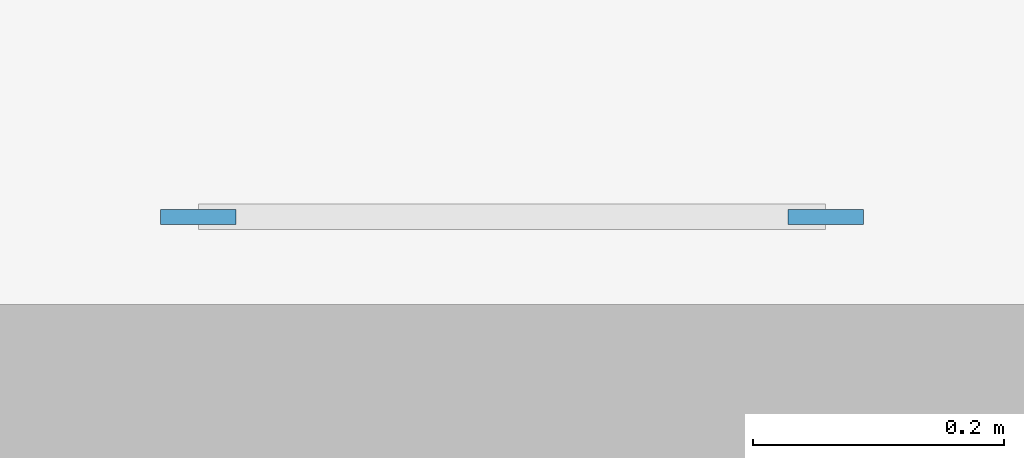
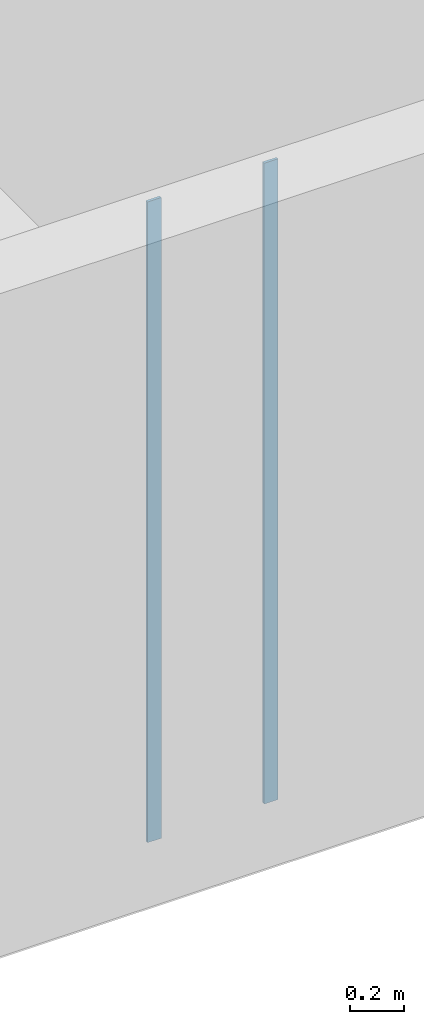
# One storey, part 24 of 122: 2 members.
"""IFC4 building model written with IfcOpenShell, lengths in metres."""

import ifcopenshell
import ifcopenshell.guid

model = None  # the IFC model being written
_history = None  # IfcOwnerHistory: only IFC2X3 demands one
_inside = {}  # id of a spatial element -> (the spatial element, [elements in it])
_under = {}  # id of a project, library or spatial element -> (it, [spatial elements below it])
_declared = {}  # id of a project -> (the project, [libraries it declares])
_typed = {}  # id of a type object -> (the type object, [elements of that type])
_made_of = {}  # id of a material, layer set ... -> (it, [elements and type objects made of it])


def new_model(schema):
    """Start an empty IFC model of exactly this schema.

    Asked for "IFC4X3", IfcOpenShell would pick the latest addendum, in which some entities
    have other attributes; the version numbers below select the first issue.
    IFC2X3 requires an IfcOwnerHistory on every rooted entity: one is made here for all.
    """
    global model, _history
    if schema == "IFC4X3":
        model = ifcopenshell.file(schema_version=(4, 3, 0, 0))
    else:
        model = ifcopenshell.file(schema=schema)
    _inside.clear()
    _under.clear()
    _declared.clear()
    _typed.clear()
    _made_of.clear()
    _history = None
    if model.schema == "IFC2X3":
        org = make("IfcOrganization", Name="unknown")
        user = make(
            "IfcPersonAndOrganization",
            ThePerson=make("IfcPerson", FamilyName="unknown"),
            TheOrganization=org,
        )
        app = make(
            "IfcApplication",
            ApplicationDeveloper=org,
            Version="unknown",
            ApplicationFullName="unknown",
            ApplicationIdentifier="unknown",
        )
        _history = make(
            "IfcOwnerHistory",
            OwningUser=user,
            OwningApplication=app,
            ChangeAction="ADDED",
            CreationDate=0,
        )
    return model


def make(cls, **values):
    """One entity of the class cls with the attributes given. An attribute that is None is left unset."""
    return model.create_entity(
        cls, **{name: value for name, value in values.items() if value is not None}
    )


def rooted(cls, **values):
    """An entity with a GlobalId (a new one), such as an element, a storey or a relation."""
    return make(cls, GlobalId=ifcopenshell.guid.new(), OwnerHistory=_history, **values)


def si_unit(unit_type, name, prefix=None):
    """IfcSIUnit, for example si_unit("LENGTHUNIT", "METRE", prefix="MILLI")."""
    return make("IfcSIUnit", UnitType=unit_type, Prefix=prefix, Name=name)


def assignment(units):
    """IfcUnitAssignment: the units of a project."""
    return None if units is None else make("IfcUnitAssignment", Units=units)


def point(xyz):
    """IfcCartesianPoint."""
    return None if xyz is None else make("IfcCartesianPoint", Coordinates=xyz)


def direction(xyz):
    """IfcDirection."""
    return None if xyz is None else make("IfcDirection", DirectionRatios=xyz)


def frame(location, z_axis=None, x_axis=None):
    """IfcAxis2Placement3D, a coordinate frame: its origin and axes. An axis left out is left unset."""
    return make(
        "IfcAxis2Placement3D",
        Location=point(location),
        Axis=direction(z_axis),
        RefDirection=direction(x_axis),
    )


def frame_2d(location, x_axis=None):
    """IfcAxis2Placement2D, a coordinate frame in the plane: its origin and x axis."""
    return make(
        "IfcAxis2Placement2D", Location=point(location), RefDirection=direction(x_axis)
    )


def origin():
    """The frame at (0, 0, 0) with its axes left unset."""
    return frame((0.0, 0.0, 0.0))


def origin_2d():
    """The frame at (0, 0) in the plane with its x axis left unset."""
    return frame_2d((0.0, 0.0))


def place(relative_to, where):
    """IfcLocalPlacement: puts the frame where relative to a parent placement (None: the world)."""
    return make(
        "IfcLocalPlacement", PlacementRelTo=relative_to, RelativePlacement=where
    )


def context(
    kind, dimensions, precision=None, world=None, true_north=None, identifier=None
):
    """IfcGeometricRepresentationContext, for example the 3D "Model" context."""
    return make(
        "IfcGeometricRepresentationContext",
        ContextIdentifier=identifier,
        ContextType=kind,
        CoordinateSpaceDimension=dimensions,
        Precision=precision,
        WorldCoordinateSystem=world,
        TrueNorth=true_north,
    )


def subcontext(parent, identifier, kind, view, scale=None):
    """IfcGeometricRepresentationSubContext, for example "Body" below "Model"."""
    return make(
        "IfcGeometricRepresentationSubContext",
        ContextIdentifier=identifier,
        ContextType=kind,
        ParentContext=parent,
        TargetScale=scale,
        TargetView=view,
    )


def project(units=None, contexts=None):
    """IfcProject with its units and contexts."""
    return rooted(
        "IfcProject",
        Name="project",
        RepresentationContexts=contexts,
        UnitsInContext=assignment(units),
    )


def spatial(cls, under=None, at=None, **own):
    """A site, building, storey or space (cls), placed at a placement, below another one or the project."""
    s = rooted(cls, ObjectPlacement=at, **own)
    if under is not None:
        _under.setdefault(under.id(), (under, []))[1].append(s)
    return s


def profile(cls, at=None, kind="AREA", **sizes):
    """A parametric profile (cls). Its sizes go by their IFC names, for example OverallWidth=200.0."""
    return make(cls, ProfileType=kind, Position=at, **sizes)


def rectangle(**sizes):
    """IfcRectangleProfileDef."""
    return profile("IfcRectangleProfileDef", **sizes)


def extrude(swept, where, along, depth):
    """IfcExtrudedAreaSolid: the profile swept, set in the frame where, extruded along a direction by depth."""
    return make(
        "IfcExtrudedAreaSolid",
        SweptArea=swept,
        Position=where,
        ExtrudedDirection=direction(along),
        Depth=depth,
    )


def shape(context_of_items, identifier, shape_type, items):
    """IfcShapeRepresentation: the items that make up one representation, for example the "Body"."""
    return make(
        "IfcShapeRepresentation",
        ContextOfItems=context_of_items,
        RepresentationIdentifier=identifier,
        RepresentationType=shape_type,
        Items=items,
    )


def material(Name=None, Category=None):
    """IfcMaterial."""
    return make("IfcMaterial", Name=Name, Category=Category)


def material_profile(
    of_material, cross_section, Name=None, Category=None, Priority=None
):
    """IfcMaterialProfile: a cross section and its material."""
    return make(
        "IfcMaterialProfile",
        Name=Name,
        Material=of_material,
        Profile=cross_section,
        Priority=Priority,
        Category=Category,
    )


def profile_set(profiles, Name=None, composite=None):
    """IfcMaterialProfileSet."""
    return make(
        "IfcMaterialProfileSet",
        Name=Name,
        MaterialProfiles=profiles,
        CompositeProfile=composite,
    )


def made_of(thing, what):
    """Note that an element or type object is made of a material, layer set ...; save() writes the relation."""
    if what is not None:
        _made_of.setdefault(what.id(), (what, []))[1].append(thing)
    return thing


def type_object(cls, material=None, **own):
    """A type object (cls), such as IfcWallType, which elements share."""
    return made_of(rooted(cls, **own), material)


def element(
    cls,
    number,
    at=None,
    inside=None,
    cuts=None,
    type_object=None,
    material=None,
    context=None,
    identifier="Body",
    shape_type=None,
    held_by="IfcProductDefinitionShape",
    body=None,
    shapes=None,
    **own,
):
    """One element of the class cls, such as IfcWall. Its Tag is "e" and its number.

    at: its placement. inside: the storey or other place that contains it. cuts: it is an
    opening in that element (IfcRelVoidsElement). A single representation is given by context,
    identifier, shape_type and body (its items); several are given by shapes. held_by: the class
    of the entity that holds the representations. save() writes the other relations.
    """
    e = rooted(cls, Tag="e%d" % number, ObjectPlacement=at, **own)
    if body is not None:
        shapes = [shape(context, identifier, shape_type, body)]
    if shapes is not None:
        e.Representation = make(held_by, Representations=shapes)
    if inside is not None:
        _inside.setdefault(inside.id(), (inside, []))[1].append(e)
    if cuts is not None:
        rooted(
            "IfcRelVoidsElement", RelatingBuildingElement=cuts, RelatedOpeningElement=e
        )
    if type_object is not None:
        _typed.setdefault(type_object.id(), (type_object, []))[1].append(e)
    return made_of(e, material)


def aggregate(whole, parts):
    """IfcRelAggregates: a whole, such as a stair, and the parts it consists of."""
    return rooted("IfcRelAggregates", RelatingObject=whole, RelatedObjects=parts)


def save(model, path):
    """Write the relations noted so far, then the file.

    IfcRelAggregates (storeys below a building ...), IfcRelContainedInSpatialStructure (elements
    in a storey), IfcRelDefinesByType, IfcRelAssociatesMaterial and IfcRelDeclares: one each for
    every whole, place, type object, material and project.
    """
    for whole, parts in _under.values():
        aggregate(whole, parts)
    for where, things in _inside.values():
        rooted(
            "IfcRelContainedInSpatialStructure",
            RelatedElements=things,
            RelatingStructure=where,
        )
    for kind, things in _typed.values():
        rooted("IfcRelDefinesByType", RelatedObjects=things, RelatingType=kind)
    for what, things in _made_of.values():
        rooted("IfcRelAssociatesMaterial", RelatedObjects=things, RelatingMaterial=what)
    for by, libraries in _declared.values():
        rooted("IfcRelDeclares", RelatingContext=by, RelatedDefinitions=libraries)
    model.write(path)


model = new_model("IFC4")

# Units and contexts
model_context = context("Model", 3, precision=1e-05, world=origin(), true_north=direction((0.0, 1.0)))
body_context = subcontext(model_context, "Body", "Model", "MODEL_VIEW")
ifc_project = project(units=[si_unit("LENGTHUNIT", "METRE"), si_unit("AREAUNIT", "SQUARE_METRE"), si_unit("VOLUMEUNIT", "CUBIC_METRE"), si_unit("PLANEANGLEUNIT", "RADIAN"), si_unit("MASSUNIT", "GRAM", prefix="KILO")], contexts=[model_context])

# Site, building, storey
site_placement = place(None, origin())
site = spatial("IfcSite", under=ifc_project, at=site_placement, CompositionType="ELEMENT")
building_placement = place(site_placement, origin())
building = spatial("IfcBuilding", under=site, at=building_placement, Name="Ridgestep Commons", CompositionType="ELEMENT")
storey_placement = place(building_placement, frame((0.0, 0.0, 3.0)))
storey = spatial("IfcBuildingStorey", under=building, at=storey_placement, Name="L01", CompositionType="ELEMENT", Elevation=3.0)

# Members
ifc_material = material(Name="Structural steel S355JR", Category="steel")
ifc_material_profile = material_profile(ifc_material, rectangle(XDim=0.06005859375, YDim=0.011962890625, at=origin_2d()), Name="Ladder stile FB 60 x 12")
ifc_profile_set = profile_set([ifc_material_profile], Name="Structural steel S355JR")
member_type = type_object("IfcMemberType", Name="Ladder stile FB 60 x 12", PredefinedType="USERDEFINED", material=ifc_profile_set)
for number, where, z_axis, x_axis, name in (
    (1, (157.300048828125, 37.820068359375, 0.0), (0.0, 0.0, 1.0), (1.0, 0.0, 0.0), "Fixed ladder stile"),
    (2, (157.800048828125, 37.820068359375, 0.0), (0.0, 0.0, 1.0), (1.0, 0.0, 0.0), "Fixed ladder stile"),
):
    element("IfcMember", number, at=place(storey_placement, frame(where, z_axis=z_axis, x_axis=x_axis)), inside=storey, type_object=member_type, Name=name, ObjectType="Ladder stile", PredefinedType="USERDEFINED", context=body_context, shape_type="SweptSolid", body=[
        extrude(rectangle(XDim=0.06005859375, YDim=0.011962890625, at=origin_2d()), origin(), (0.0, 0.0, 1.0), 2.89990234375),
    ])

save(model, "model.ifc")
